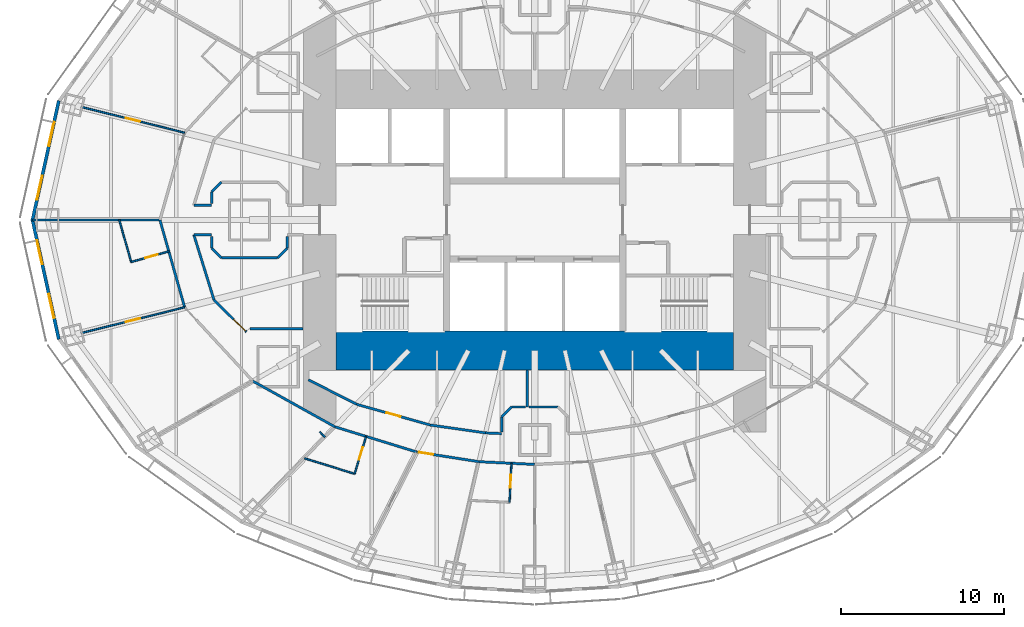
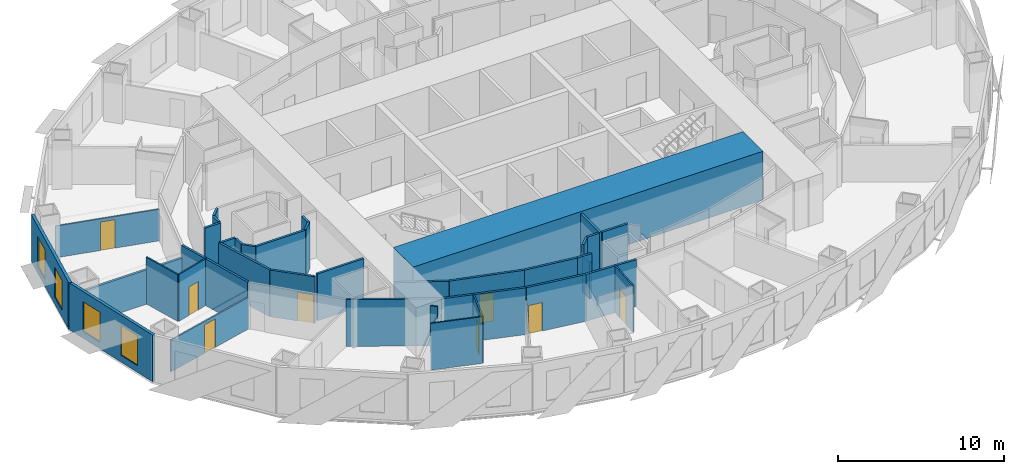
# One storey, part 5 of 15: 38 walls, 8 doors, 4 windows, 12 openings.
"""IFC4 building model written with IfcOpenShell, lengths in metres."""

from ifc_helpers import new_model, si_unit, direction, frame, frame_2d, origin, place, context, subcontext, project, spatial, rectangle, extrude, material, layer, layer_set, type_object, element, fill, save


model = new_model("IFC4")

# Units and contexts
model_context = context("Model", 3, precision=1e-05, world=origin(), true_north=direction((0.0, 1.0)))
body_context = subcontext(model_context, "Body", "Model", "MODEL_VIEW")
ifc_project = project(units=[si_unit("LENGTHUNIT", "METRE"), si_unit("AREAUNIT", "SQUARE_METRE"), si_unit("VOLUMEUNIT", "CUBIC_METRE"), si_unit("PLANEANGLEUNIT", "RADIAN"), si_unit("MASSUNIT", "GRAM", prefix="KILO")], contexts=[model_context])

# Site, building, storey
site_placement = place(None, origin())
site = spatial("IfcSite", under=ifc_project, at=site_placement, CompositionType="ELEMENT")
building_placement = place(site_placement, origin())
building = spatial("IfcBuilding", under=site, at=building_placement, Name="Lantaw Convention Tower", CompositionType="ELEMENT")
storey_placement = place(building_placement, frame((0.0, 0.0, 94.60009765625)))
storey = spatial("IfcBuildingStorey", under=building, at=storey_placement, Name="L22", CompositionType="ELEMENT", Elevation=94.60009765625)

# Walls
ifc_material_1 = material(Name="Gypsum board on steel studs", Category="steel")
ifc_layer_1 = layer(ifc_material_1, 0.14990234375)
ifc_layer_set_1 = layer_set([ifc_layer_1], Name="Back of house wall 150")
wall_type_1 = type_object("IfcWallType", Name="Back of house wall 150", PredefinedType="PARTITIONING", material=ifc_layer_set_1)
wall_1_placement = place(storey_placement, frame((-0.449951171875, -9.199951171875, 0.0), z_axis=(0.0, 0.0, 1.0), x_axis=(0.0, -1.0, 0.0)))
element("IfcWall", 1, at=wall_1_placement, inside=storey, type_object=wall_type_1, Name="Back of house wall 150", PredefinedType="PARTITIONING", context=body_context, shape_type="SweptSolid", body=[
    extrude(rectangle(XDim=2.26513671875, YDim=0.14990234375, at=frame_2d((1.132568359375, 0.0))), origin(), (0.0, 0.0, 1.0), 3.449951171875),
])
wall_2_placement = place(storey_placement, frame((-2.02490234375, -12.075439453125, 0.0), z_axis=(0.0, 0.0, 1.0), x_axis=(0.707106781187, 0.707106781187, 0.0)))
element("IfcWall", 2, at=wall_2_placement, inside=storey, type_object=wall_type_1, Name="Back of house wall 150", PredefinedType="PARTITIONING", context=body_context, shape_type="SweptSolid", body=[
    extrude(rectangle(XDim=0.84912109375, YDim=0.14990234375, at=frame_2d((0.424560546875, 0.0))), origin(), (0.0, 0.0, 1.0), 3.449951171875),
])
wall_3_placement = place(storey_placement, frame((-1.424560546875, -11.47509765625, 0.0), z_axis=(0.0, 0.0, 1.0), x_axis=(1.0, 0.0, 0.0)))
element("IfcWall", 3, at=wall_3_placement, inside=storey, type_object=wall_type_1, Name="Back of house wall 150", PredefinedType="PARTITIONING", context=body_context, shape_type="SweptSolid", body=[
    extrude(rectangle(XDim=0.871337890625, YDim=0.14990234375, at=frame_2d((0.435546875, 0.0))), origin(), (0.0, 0.0, 1.0), 3.449951171875),
])
wall_4_placement = place(storey_placement, frame((-0.3466796875, -11.47509765625, 0.0), z_axis=(0.0, 0.0, 1.0), x_axis=(1.0, 0.0, 0.0)))
element("IfcWall", 4, at=wall_4_placement, inside=storey, type_object=wall_type_1, Name="Back of house wall 150", PredefinedType="PARTITIONING", context=body_context, shape_type="SweptSolid", body=[
    extrude(rectangle(XDim=1.771240234375, YDim=0.14990234375, at=frame_2d((0.8857421875, 0.0))), origin(), (0.0, 0.0, 1.0), 3.449951171875),
])

# Wall, opening, door
ifc_material_2 = material(Name="Moisture resistant gypsum board on steel studs", Category="steel")
ifc_layer_2 = layer(ifc_material_2, 0.10009765625)
ifc_layer_set_2 = layer_set([ifc_layer_2], Name="Bathroom wall 100")
wall_type_2 = type_object("IfcWallType", Name="Bathroom wall 100", PredefinedType="PARTITIONING", material=ifc_layer_set_2)
wall_5_placement = place(storey_placement, frame((-22.455078125, -1.92431640625, 0.0), z_axis=(0.0, 0.0, 1.0), x_axis=(-0.962181399457, -0.272409534596, 0.0)))
wall_5 = element("IfcWall", 5, at=wall_5_placement, inside=storey, type_object=wall_type_2, Name="Bathroom wall 100", PredefinedType="PARTITIONING", context=body_context, shape_type="SweptSolid", body=[
    extrude(rectangle(XDim=2.400146484375, YDim=0.10009765625, at=frame_2d((1.2001953125, 0.0))), origin(), (0.0, 0.0, 1.0), 3.449951171875),
])
opening_1_placement = place(wall_5_placement, frame((0.699951171875, 0.0, 0.0)))
opening_1 = element("IfcOpeningElement", 6, at=opening_1_placement, cuts=wall_5, Name="Opening L22.42", PredefinedType="OPENING", context=body_context, shape_type="SweptSolid", body=[
    extrude(rectangle(XDim=0.800048828125, YDim=2.10009765625, at=frame_2d((0.39990234375, 1.050048828125))), frame((0.0, 0.06005859375, 0.0), z_axis=(0.0, -1.0, 0.0), x_axis=(1.0, 0.0, 0.0)), (0.0, 0.0, 1.0), 0.1201171875),
])
ifc_material_3 = material(Name="Timber", Category="wood")
door_type_1 = type_object("IfcDoorType", Name="Bathroom door 800", OperationType="SINGLE_SWING_LEFT", PredefinedType="DOOR", material=ifc_material_3)
door_1_placement = place(opening_1_placement, origin())
door_1 = element("IfcDoor", 7, at=door_1_placement, inside=storey, type_object=door_type_1, Name="Bathroom door", OperationType="SINGLE_SWING_LEFT", OverallHeight=2.10009765625, OverallWidth=0.800048828125, PredefinedType="DOOR", context=body_context, shape_type="SweptSolid", body=[
    extrude(rectangle(XDim=0.800048828125, YDim=2.10009765625, at=frame_2d((0.39990234375, 1.050048828125))), frame((0.0, 0.02490234375, 0.0), z_axis=(0.0, -1.0, 0.0), x_axis=(1.0, 0.0, 0.0)), (0.0, 0.0, 1.0), 0.050048828125),
])
fill(opening_1, door_1)

# Wall
wall_6_placement = place(storey_placement, frame((-24.764404296875, -2.578125, 0.0), z_axis=(0.0, 0.0, 1.0), x_axis=(-0.272433880153, 0.962174506493, 0.0)))
element("IfcWall", 8, at=wall_6_placement, inside=storey, type_object=wall_type_2, Name="Bathroom wall 100", PredefinedType="PARTITIONING", context=body_context, shape_type="SweptSolid", body=[
    extrude(rectangle(XDim=2.679443359375, YDim=0.10009765625, at=frame_2d((1.33984375, 0.0))), origin(), (0.0, 0.0, 1.0), 3.449951171875),
])

# Wall, opening, door
wall_7_placement = place(storey_placement, frame((-10.345703125, -13.281494140625, 0.0), z_axis=(0.0, 0.0, 1.0), x_axis=(-0.294478957423, -0.955657963727, 0.0)))
wall_7 = element("IfcWall", 9, at=wall_7_placement, inside=storey, type_object=wall_type_2, Name="Bathroom wall 100", PredefinedType="PARTITIONING", context=body_context, shape_type="SweptSolid", body=[
    extrude(rectangle(XDim=2.400146484375, YDim=0.10009765625, at=frame_2d((1.2001953125, 0.0))), origin(), (0.0, 0.0, 1.0), 3.449951171875),
])
opening_2_placement = place(wall_7_placement, frame((0.699951171875, 0.0, 0.0)))
opening_2 = element("IfcOpeningElement", 10, at=opening_2_placement, cuts=wall_7, Name="Opening L22.46", PredefinedType="OPENING", context=body_context, shape_type="SweptSolid", body=[
    extrude(rectangle(XDim=0.800048828125, YDim=2.10009765625, at=frame_2d((0.39990234375, 1.050048828125))), frame((0.0, 0.06005859375, 0.0), z_axis=(0.0, -1.0, 0.0), x_axis=(1.0, 0.0, 0.0)), (0.0, 0.0, 1.0), 0.1201171875),
])
door_2_placement = place(opening_2_placement, origin())
door_2 = element("IfcDoor", 11, at=door_2_placement, inside=storey, type_object=door_type_1, Name="Bathroom door", OperationType="SINGLE_SWING_LEFT", OverallHeight=2.10009765625, OverallWidth=0.800048828125, PredefinedType="DOOR", context=body_context, shape_type="SweptSolid", body=[
    extrude(rectangle(XDim=0.800048828125, YDim=2.10009765625, at=frame_2d((0.39990234375, 1.050048828125))), frame((0.0, 0.02490234375, 0.0), z_axis=(0.0, -1.0, 0.0), x_axis=(1.0, 0.0, 0.0)), (0.0, 0.0, 1.0), 0.050048828125),
])
fill(opening_2, door_2)

# Wall
wall_8_placement = place(storey_placement, frame((-11.052490234375, -15.5751953125, 0.0), z_axis=(0.0, 0.0, 1.0), x_axis=(-0.955641033268, 0.294533895391, 0.0)))
element("IfcWall", 12, at=wall_8_placement, inside=storey, type_object=wall_type_2, Name="Bathroom wall 100", PredefinedType="PARTITIONING", context=body_context, shape_type="SweptSolid", body=[
    extrude(rectangle(XDim=3.216064453125, YDim=0.10009765625, at=frame_2d((1.60791015625, 0.0))), origin(), (0.0, 0.0, 1.0), 3.449951171875),
])

# Wall, opening, door
wall_9_placement = place(storey_placement, frame((-1.4267578125, -14.930419921875, 0.0), z_axis=(0.0, 0.0, 1.0), x_axis=(-0.048831470304, -0.998807032168, 0.0)))
wall_9 = element("IfcWall", 13, at=wall_9_placement, inside=storey, type_object=wall_type_2, Name="Bathroom wall 100", PredefinedType="PARTITIONING", context=body_context, shape_type="SweptSolid", body=[
    extrude(rectangle(XDim=2.39990234375, YDim=0.10009765625, at=frame_2d((1.199951171875, 0.0))), origin(), (0.0, 0.0, 1.0), 3.449951171875),
])
opening_3_placement = place(wall_9_placement, frame((0.699951171875, 0.0, 0.0)))
opening_3 = element("IfcOpeningElement", 14, at=opening_3_placement, cuts=wall_9, Name="Opening L22.49", PredefinedType="OPENING", context=body_context, shape_type="SweptSolid", body=[
    extrude(rectangle(XDim=0.800048828125, YDim=2.10009765625, at=frame_2d((0.39990234375, 1.050048828125))), frame((0.0, 0.06005859375, 0.0), z_axis=(0.0, -1.0, 0.0), x_axis=(1.0, 0.0, 0.0)), (0.0, 0.0, 1.0), 0.1201171875),
])
door_3_placement = place(opening_3_placement, origin())
door_3 = element("IfcDoor", 15, at=door_3_placement, inside=storey, type_object=door_type_1, Name="Bathroom door", OperationType="SINGLE_SWING_LEFT", OverallHeight=2.10009765625, OverallWidth=0.800048828125, PredefinedType="DOOR", context=body_context, shape_type="SweptSolid", body=[
    extrude(rectangle(XDim=0.800048828125, YDim=2.10009765625, at=frame_2d((0.39990234375, 1.050048828125))), frame((0.0, 0.02490234375, 0.0), z_axis=(0.0, -1.0, 0.0), x_axis=(1.0, 0.0, 0.0)), (0.0, 0.0, 1.0), 0.050048828125),
])
fill(opening_3, door_3)

# Walls
ifc_material_4 = material(Name="Concrete C60/75", Category="concrete")
ifc_layer_3 = layer(ifc_material_4, 2.39990234375)
ifc_layer_set_3 = layer_set([ifc_layer_3], Name="Core wall 2400")
wall_type_3 = type_object("IfcWallType", Name="Core wall 2400", PredefinedType="SHEAR", material=ifc_layer_set_3)
wall_10_placement = place(storey_placement, frame((-12.199951171875, -8.0, 0.0), z_axis=(0.0, 0.0, 1.0), x_axis=(1.0, 0.0, 0.0)))
element("IfcWall", 16, at=wall_10_placement, inside=storey, type_object=wall_type_3, Name="Core wall S", PredefinedType="SHEAR", context=body_context, shape_type="SweptSolid", body=[
    extrude(rectangle(XDim=24.39990234375, YDim=2.39990234375, at=frame_2d((12.199951171875, 0.0))), origin(), (0.0, 0.0, 1.0), 3.599853515625),
])
ifc_material_5 = material(Name="Gypsum board on steel studs, fire rated", Category="steel")
ifc_layer_4 = layer(ifc_material_5, 0.14990234375)
ifc_layer_set_4 = layer_set([ifc_layer_4], Name="Corridor wall 150 EI 60")
wall_type_4 = type_object("IfcWallType", Name="Corridor wall 150 EI 60", PredefinedType="PARTITIONING", material=ifc_layer_set_4)
wall_11_placement = place(storey_placement, frame((-23.0, 0.0, 0.0), z_axis=(0.0, 0.0, 1.0), x_axis=(0.272386051236, -0.962188047677, 0.0)))
element("IfcWall", 17, at=wall_11_placement, inside=storey, type_object=wall_type_4, Name="Corridor wall 150", PredefinedType="PARTITIONING", context=body_context, shape_type="SweptSolid", body=[
    extrude(rectangle(XDim=5.56689453125, YDim=0.14990234375, at=frame_2d((2.783447265625, 0.0))), origin(), (0.0, 0.0, 1.0), 3.449951171875),
])
wall_12_placement = place(storey_placement, frame((-17.299072265625, -9.88525390625, 0.0), z_axis=(0.0, 0.0, 1.0), x_axis=(0.873695910579, -0.486472461541, 0.0)))
element("IfcWall", 18, at=wall_12_placement, inside=storey, type_object=wall_type_4, Name="Corridor wall 150", PredefinedType="PARTITIONING", context=body_context, shape_type="SweptSolid", body=[
    extrude(rectangle(XDim=5.77099609375, YDim=0.14990234375, at=frame_2d((2.885498046875, 0.0))), origin(), (0.0, 0.0, 1.0), 3.449951171875),
])
wall_13_placement = place(storey_placement, frame((-12.257080078125, -12.692626953125, 0.0), z_axis=(0.0, 0.0, 1.0), x_axis=(0.955657956744, -0.294478980085, 0.0)))
element("IfcWall", 19, at=wall_13_placement, inside=storey, type_object=wall_type_4, Name="Corridor wall 150", PredefinedType="PARTITIONING", context=body_context, shape_type="SweptSolid", body=[
    extrude(rectangle(XDim=5.236328125, YDim=0.14990234375, at=frame_2d((2.6181640625, 0.0))), origin(), (0.0, 0.0, 1.0), 3.449951171875),
])

# Wall, opening, door
wall_14_placement = place(storey_placement, frame((-7.2529296875, -14.234619140625, 0.0), z_axis=(0.0, 0.0, 1.0), x_axis=(0.988015036573, -0.154357660987, 0.0)))
wall_14 = element("IfcWall", 20, at=wall_14_placement, inside=storey, type_object=wall_type_4, Name="Corridor wall 150", PredefinedType="PARTITIONING", context=body_context, shape_type="SweptSolid", body=[
    extrude(rectangle(XDim=3.875, YDim=0.14990234375, at=frame_2d((1.9375, 0.0))), origin(), (0.0, 0.0, 1.0), 3.449951171875),
])
opening_4_placement = place(wall_14_placement, frame((0.14990234375, 0.0, 0.0)))
opening_4 = element("IfcOpeningElement", 21, at=opening_4_placement, cuts=wall_14, Name="Opening L22.48", PredefinedType="OPENING", context=body_context, shape_type="SweptSolid", body=[
    extrude(rectangle(XDim=0.89990234375, YDim=2.10009765625, at=frame_2d((0.449951171875, 1.050048828125))), frame((0.0, 0.0849609375, 0.0), z_axis=(0.0, -1.0, 0.0), x_axis=(1.0, 0.0, 0.0)), (0.0, 0.0, 1.0), 0.169921875),
])
ifc_material_6 = material(Name="Steel, fire rated", Category="steel")
door_type_2 = type_object("IfcDoorType", Name="Guest room entrance door FD30S", OperationType="SINGLE_SWING_LEFT", PredefinedType="DOOR", material=ifc_material_6)
door_4_placement = place(opening_4_placement, origin())
door_4 = element("IfcDoor", 22, at=door_4_placement, inside=storey, type_object=door_type_2, Name="Suite entrance door", OperationType="SINGLE_SWING_LEFT", OverallHeight=2.10009765625, OverallWidth=0.89990234375, PredefinedType="DOOR", context=body_context, shape_type="SweptSolid", body=[
    extrude(rectangle(XDim=0.89990234375, YDim=2.10009765625, at=frame_2d((0.449951171875, 1.050048828125))), frame((0.0, 0.02490234375, 0.0), z_axis=(0.0, -1.0, 0.0), x_axis=(1.0, 0.0, 0.0)), (0.0, 0.0, 1.0), 0.050048828125),
])
fill(opening_4, door_4)

# Walls
wall_15_placement = place(storey_placement, frame((-3.42431640625, -14.832763671875, 0.0), z_axis=(0.0, 0.0, 1.0), x_axis=(0.998809560203, -0.048779733975, 0.0)))
element("IfcWall", 23, at=wall_15_placement, inside=storey, type_object=wall_type_4, Name="Corridor wall 150", PredefinedType="PARTITIONING", context=body_context, shape_type="SweptSolid", body=[
    extrude(rectangle(XDim=3.428466796875, YDim=0.14990234375, at=frame_2d((1.71435546875, 0.0))), origin(), (0.0, 0.0, 1.0), 3.449951171875),
])
wall_16_placement = place(storey_placement, frame((-20.92138671875, -0.89990234375, 0.0), z_axis=(0.0, 0.0, 1.0), x_axis=(0.295778570807, -0.955256529447, 0.0)))
element("IfcWall", 24, at=wall_16_placement, inside=storey, type_object=wall_type_4, Name="Corridor wall 150", PredefinedType="PARTITIONING", context=body_context, shape_type="SweptSolid", body=[
    extrude(rectangle(XDim=4.19482421875, YDim=0.14990234375, at=frame_2d((2.097412109375, 0.0))), origin(), (0.0, 0.0, 1.0), 3.449951171875),
])

# Wall, opening, door
wall_17_placement = place(storey_placement, frame((-10.92431640625, -11.3125, 0.0), z_axis=(0.0, 0.0, 1.0), x_axis=(0.962643729928, -0.270771211967, 0.0)))
wall_17 = element("IfcWall", 25, at=wall_17_placement, inside=storey, type_object=wall_type_4, Name="Corridor wall 150", PredefinedType="PARTITIONING", context=body_context, shape_type="SweptSolid", body=[
    extrude(rectangle(XDim=4.6884765625, YDim=0.14990234375, at=frame_2d((2.34423828125, 0.0))), origin(), (0.0, 0.0, 1.0), 3.449951171875),
])
opening_5_placement = place(wall_17_placement, frame((1.894287109375, 0.0, 0.0)))
opening_5 = element("IfcOpeningElement", 26, at=opening_5_placement, cuts=wall_17, Name="Opening L22.21", PredefinedType="OPENING", context=body_context, shape_type="SweptSolid", body=[
    extrude(rectangle(XDim=0.89990234375, YDim=2.10009765625, at=frame_2d((0.449951171875, 1.050048828125))), frame((0.0, 0.0849609375, 0.0), z_axis=(0.0, -1.0, 0.0), x_axis=(1.0, 0.0, 0.0)), (0.0, 0.0, 1.0), 0.169921875),
])
door_type_3 = type_object("IfcDoorType", Name="Service door 900 FD30", OperationType="SINGLE_SWING_LEFT", PredefinedType="DOOR", material=ifc_material_6)
door_5_placement = place(opening_5_placement, origin())
door_5 = element("IfcDoor", 27, at=door_5_placement, inside=storey, type_object=door_type_3, Name="Staff locker room door", OperationType="SINGLE_SWING_LEFT", OverallHeight=2.10009765625, OverallWidth=0.89990234375, PredefinedType="DOOR", context=body_context, shape_type="SweptSolid", body=[
    extrude(rectangle(XDim=0.89990234375, YDim=2.10009765625, at=frame_2d((0.449951171875, 1.050048828125))), frame((0.0, 0.02490234375, 0.0), z_axis=(0.0, -1.0, 0.0), x_axis=(1.0, 0.0, 0.0)), (0.0, 0.0, 1.0), 0.050048828125),
])
fill(opening_5, door_5)

# Walls
wall_18_placement = place(storey_placement, frame((-6.410888671875, -12.58203125, 0.0), z_axis=(0.0, 0.0, 1.0), x_axis=(0.990002114939, -0.14105251652, 0.0)))
element("IfcWall", 28, at=wall_18_placement, inside=storey, type_object=wall_type_4, Name="Corridor wall 150", PredefinedType="PARTITIONING", context=body_context, shape_type="SweptSolid", body=[
    extrude(rectangle(XDim=3.4287109375, YDim=0.14990234375, at=frame_2d((1.71435546875, 0.0))), origin(), (0.0, 0.0, 1.0), 3.449951171875),
])
for number, where, z_axis, x_axis, name in (
    (29, (-19.8349609375, -0.89990234375, 0.0), (0.0, 0.0, 1.0), (-1.0, 0.0, 0.0), "Corridor wall 150"),
    (30, (-19.8349609375, 0.89990234375, 0.0), (0.0, 0.0, 1.0), (-1.0, 0.0, 0.0), "Corridor wall 150"),
):
    element("IfcWall", number, at=place(storey_placement, frame(where, z_axis=z_axis, x_axis=x_axis)), inside=storey, type_object=wall_type_4, Name=name, PredefinedType="PARTITIONING", context=body_context, shape_type="SweptSolid", body=[
        extrude(rectangle(XDim=1.08642578125, YDim=0.14990234375, at=frame_2d((0.543212890625, 0.0))), origin(), (0.0, 0.0, 1.0), 3.449951171875),
    ])
wall_19_placement = place(storey_placement, frame((-19.824951171875, 1.003173828125, 0.0), z_axis=(0.0, 0.0, 1.0), x_axis=(0.0, 1.0, 0.0)))
element("IfcWall", 31, at=wall_19_placement, inside=storey, type_object=wall_type_4, Name="Corridor wall 150", PredefinedType="PARTITIONING", context=body_context, shape_type="SweptSolid", body=[
    extrude(rectangle(XDim=0.721435546875, YDim=0.14990234375, at=frame_2d((0.36083984375, 0.0))), origin(), (0.0, 0.0, 1.0), 3.449951171875),
])
wall_20_placement = place(storey_placement, frame((-19.824951171875, 1.724609375, 0.0), z_axis=(0.0, 0.0, 1.0), x_axis=(0.707106781187, 0.707106781187, 0.0)))
element("IfcWall", 32, at=wall_20_placement, inside=storey, type_object=wall_type_4, Name="Corridor wall 150", PredefinedType="PARTITIONING", context=body_context, shape_type="SweptSolid", body=[
    extrude(rectangle(XDim=0.84912109375, YDim=0.14990234375, at=frame_2d((0.424560546875, 0.0))), origin(), (0.0, 0.0, 1.0), 3.449951171875),
])
for number, where, z_axis, x_axis, name in (
    (33, (-19.824951171875, -1.724609375, 0.0), (0.0, 0.0, 1.0), (0.0, 1.0, 0.0), "Corridor wall 150"),
    (34, (-15.175048828125, -1.003173828125, 0.0), (0.0, 0.0, 1.0), (0.0, -1.0, 0.0), "Corridor wall 150"),
):
    element("IfcWall", number, at=place(storey_placement, frame(where, z_axis=z_axis, x_axis=x_axis)), inside=storey, type_object=wall_type_4, Name=name, PredefinedType="PARTITIONING", context=body_context, shape_type="SweptSolid", body=[
        extrude(rectangle(XDim=0.721435546875, YDim=0.14990234375, at=frame_2d((0.36083984375, 0.0))), origin(), (0.0, 0.0, 1.0), 3.449951171875),
    ])
wall_21_placement = place(storey_placement, frame((-15.175048828125, -1.724609375, 0.0), z_axis=(0.0, 0.0, 1.0), x_axis=(-0.707106781187, -0.707106781187, 0.0)))
element("IfcWall", 35, at=wall_21_placement, inside=storey, type_object=wall_type_4, Name="Corridor wall 150", PredefinedType="PARTITIONING", context=body_context, shape_type="SweptSolid", body=[
    extrude(rectangle(XDim=0.84912109375, YDim=0.14990234375, at=frame_2d((0.424560546875, 0.0))), origin(), (0.0, 0.0, 1.0), 3.449951171875),
])
wall_22_placement = place(storey_placement, frame((-15.775390625, -2.324951171875, 0.0), z_axis=(0.0, 0.0, 1.0), x_axis=(-1.0, 0.0, 0.0)))
element("IfcWall", 36, at=wall_22_placement, inside=storey, type_object=wall_type_4, Name="Corridor wall 150", PredefinedType="PARTITIONING", context=body_context, shape_type="SweptSolid", body=[
    extrude(rectangle(XDim=3.44921875, YDim=0.14990234375, at=frame_2d((1.724609375, 0.0))), origin(), (0.0, 0.0, 1.0), 3.449951171875),
])
wall_23_placement = place(storey_placement, frame((-19.224609375, -2.324951171875, 0.0), z_axis=(0.0, 0.0, 1.0), x_axis=(-0.707106781187, 0.707106781187, 0.0)))
element("IfcWall", 37, at=wall_23_placement, inside=storey, type_object=wall_type_4, Name="Corridor wall 150", PredefinedType="PARTITIONING", context=body_context, shape_type="SweptSolid", body=[
    extrude(rectangle(XDim=0.84912109375, YDim=0.14990234375, at=frame_2d((0.424560546875, 0.0))), origin(), (0.0, 0.0, 1.0), 3.449951171875),
])

# Wall, opening, door
wall_24_placement = place(storey_placement, frame((-19.6806640625, -4.906982421875, 0.0), z_axis=(0.0, 0.0, 1.0), x_axis=(0.710845937688, -0.70334774676, 0.0)))
wall_24 = element("IfcWall", 38, at=wall_24_placement, inside=storey, type_object=wall_type_4, Name="Corridor wall 150", PredefinedType="PARTITIONING", context=body_context, shape_type="SweptSolid", body=[
    extrude(rectangle(XDim=2.800048828125, YDim=0.14990234375, at=frame_2d((1.39990234375, 0.0))), origin(), (0.0, 0.0, 1.0), 3.449951171875),
])
opening_6_placement = place(wall_24_placement, frame((1.699951171875, 0.0, 0.0)))
opening_6 = element("IfcOpeningElement", 39, at=opening_6_placement, cuts=wall_24, Name="Opening L22.22", PredefinedType="OPENING", context=body_context, shape_type="SweptSolid", body=[
    extrude(rectangle(XDim=1.0, YDim=2.10009765625, at=frame_2d((0.5, 1.050048828125))), frame((0.0, 0.0849609375, 0.0), z_axis=(0.0, -1.0, 0.0), x_axis=(1.0, 0.0, 0.0)), (0.0, 0.0, 1.0), 0.169921875),
])
door_type_4 = type_object("IfcDoorType", Name="Service door 1000 FD30", OperationType="SINGLE_SWING_LEFT", PredefinedType="DOOR", material=ifc_material_6)
door_6_placement = place(opening_6_placement, origin())
door_6 = element("IfcDoor", 40, at=door_6_placement, inside=storey, type_object=door_type_4, Name="Staff room door", OperationType="SINGLE_SWING_LEFT", OverallHeight=2.10009765625, OverallWidth=1.0, PredefinedType="DOOR", context=body_context, shape_type="SweptSolid", body=[
    extrude(rectangle(XDim=1.0, YDim=2.10009765625, at=frame_2d((0.5, 1.050048828125))), frame((0.0, 0.02490234375, 0.0), z_axis=(0.0, -1.0, 0.0), x_axis=(1.0, 0.0, 0.0)), (0.0, 0.0, 1.0), 0.050048828125),
])
fill(opening_6, door_6)

# Walls
wall_25_placement = place(storey_placement, frame((-13.889892578125, -9.8046875, 0.0), z_axis=(0.0, 0.0, 1.0), x_axis=(0.891398195277, -0.453220980821, 0.0)))
element("IfcWall", 41, at=wall_25_placement, inside=storey, type_object=wall_type_4, Name="Corridor wall 150", PredefinedType="PARTITIONING", context=body_context, shape_type="SweptSolid", body=[
    extrude(rectangle(XDim=3.326904296875, YDim=0.14990234375, at=frame_2d((1.66357421875, 0.0))), origin(), (0.0, 0.0, 1.0), 3.449951171875),
])
wall_26_placement = place(storey_placement, frame((-17.474609375, -6.675048828125, 0.0), z_axis=(0.0, 0.0, 1.0), x_axis=(1.0, 0.0, 0.0)))
element("IfcWall", 42, at=wall_26_placement, inside=storey, type_object=wall_type_4, Name="Corridor wall 150", PredefinedType="PARTITIONING", context=body_context, shape_type="SweptSolid", body=[
    extrude(rectangle(XDim=3.24462890625, YDim=0.14990234375, at=frame_2d((1.622314453125, 0.0))), origin(), (0.0, 0.0, 1.0), 3.449951171875),
])
wall_27_placement = place(storey_placement, frame((-3.016357421875, -13.065673828125, 0.0), z_axis=(0.0, 0.0, 1.0), x_axis=(0.999010128674, -0.044483286824, 0.0)))
element("IfcWall", 43, at=wall_27_placement, inside=storey, type_object=wall_type_4, Name="Corridor wall 150", PredefinedType="PARTITIONING", context=body_context, shape_type="SweptSolid", body=[
    extrude(rectangle(XDim=0.982421875, YDim=0.14990234375, at=frame_2d((0.4912109375, 0.0))), origin(), (0.0, 0.0, 1.0), 3.449951171875),
])
wall_28_placement = place(storey_placement, frame((-2.02490234375, -13.005126953125, 0.0), z_axis=(0.0, 0.0, 1.0), x_axis=(0.0, 1.0, 0.0)))
element("IfcWall", 44, at=wall_28_placement, inside=storey, type_object=wall_type_4, Name="Corridor wall 150", PredefinedType="PARTITIONING", context=body_context, shape_type="SweptSolid", body=[
    extrude(rectangle(XDim=0.9296875, YDim=0.14990234375, at=frame_2d((0.46484375, 0.0))), origin(), (0.0, 0.0, 1.0), 2.748779296875),
])

# Wall, openings, windows
ifc_material_7 = material(Name="Insulated aluminium panel on steel frame", Category="steel")
ifc_layer_5 = layer(ifc_material_7, 0.199951171875)
ifc_layer_set_5 = layer_set([ifc_layer_5], Name="External wall 200")
wall_type_5 = type_object("IfcWallType", Name="External wall 200", PredefinedType="SOLIDWALL", material=ifc_layer_set_5)
wall_29_placement = place(storey_placement, frame((-29.207763671875, 7.318115234375, 0.0), z_axis=(0.0, 0.0, 1.0), x_axis=(-0.215238065514, -0.976561608478, 0.0)))
wall_29 = element("IfcWall", 45, at=wall_29_placement, inside=storey, type_object=wall_type_5, Name="Facade panel wall", PredefinedType="SOLIDWALL", context=body_context, shape_type="SweptSolid", body=[
    extrude(rectangle(XDim=7.562255859375, YDim=0.199951171875, at=frame_2d((3.78125, 0.0))), origin(), (0.0, 0.0, 1.0), 3.449951171875),
])
opening_7_placement = place(wall_29_placement, frame((1.340576171875, 0.0, 0.5)))
opening_7 = element("IfcOpeningElement", 46, at=opening_7_placement, cuts=wall_29, Name="Opening W2", PredefinedType="OPENING", context=body_context, shape_type="SweptSolid", body=[
    extrude(rectangle(XDim=1.5, YDim=2.199951171875, at=frame_2d((0.75, 1.10009765625))), frame((0.0, 0.10986328125, 0.0), z_axis=(0.0, -1.0, 0.0), x_axis=(1.0, 0.0, 0.0)), (0.0, 0.0, 1.0), 0.219970703125),
])
opening_8_placement = place(wall_29_placement, frame((4.7216796875, 0.0, 0.5)))
opening_8 = element("IfcOpeningElement", 47, at=opening_8_placement, cuts=wall_29, Name="Opening W2", PredefinedType="OPENING", context=body_context, shape_type="SweptSolid", body=[
    extrude(rectangle(XDim=1.5, YDim=2.199951171875, at=frame_2d((0.75, 1.10009765625))), frame((0.0, 0.10986328125, 0.0), z_axis=(0.0, -1.0, 0.0), x_axis=(1.0, 0.0, 0.0)), (0.0, 0.0, 1.0), 0.219970703125),
])
ifc_material_8 = material(Name="Aluminium frame, clear insulating glass", Category="aluminium")
window_type = type_object("IfcWindowType", Name="Suite window 1500x2200", PartitioningType="SINGLE_PANEL", PredefinedType="WINDOW", material=ifc_material_8)
window_1_placement = place(opening_7_placement, origin())
window_1 = element("IfcWindow", 48, at=window_1_placement, inside=storey, type_object=window_type, Name="Guest room window", OverallHeight=2.199951171875, OverallWidth=1.5, PartitioningType="SINGLE_PANEL", PredefinedType="WINDOW", context=body_context, shape_type="SweptSolid", body=[
    extrude(rectangle(XDim=1.5, YDim=2.199951171875, at=frame_2d((0.75, 1.10009765625))), frame((0.0, 0.030029296875, 0.0), z_axis=(0.0, -1.0, 0.0), x_axis=(1.0, 0.0, 0.0)), (0.0, 0.0, 1.0), 0.06005859375),
])
fill(opening_7, window_1)
window_2_placement = place(opening_8_placement, origin())
window_2 = element("IfcWindow", 49, at=window_2_placement, inside=storey, type_object=window_type, Name="Guest room window", OverallHeight=2.199951171875, OverallWidth=1.5, PartitioningType="SINGLE_PANEL", PredefinedType="WINDOW", context=body_context, shape_type="SweptSolid", body=[
    extrude(rectangle(XDim=1.5, YDim=2.199951171875, at=frame_2d((0.75, 1.10009765625))), frame((0.0, 0.030029296875, 0.0), z_axis=(0.0, -1.0, 0.0), x_axis=(1.0, 0.0, 0.0)), (0.0, 0.0, 1.0), 0.06005859375),
])
fill(opening_8, window_2)

wall_30_placement = place(storey_placement, frame((-30.83544921875, 0.06689453125, 0.0), z_axis=(0.0, 0.0, 1.0), x_axis=(0.215238065514, -0.976561608478, 0.0)))
wall_30 = element("IfcWall", 50, at=wall_30_placement, inside=storey, type_object=wall_type_5, Name="Facade panel wall", PredefinedType="SOLIDWALL", context=body_context, shape_type="SweptSolid", body=[
    extrude(rectangle(XDim=7.562255859375, YDim=0.199951171875, at=frame_2d((3.78125, 0.0))), origin(), (0.0, 0.0, 1.0), 3.449951171875),
])
opening_9_placement = place(wall_30_placement, frame((1.340576171875, 0.0, 0.5)))
opening_9 = element("IfcOpeningElement", 51, at=opening_9_placement, cuts=wall_30, Name="Opening W2", PredefinedType="OPENING", context=body_context, shape_type="SweptSolid", body=[
    extrude(rectangle(XDim=1.5, YDim=2.199951171875, at=frame_2d((0.75, 1.10009765625))), frame((0.0, 0.10986328125, 0.0), z_axis=(0.0, -1.0, 0.0), x_axis=(1.0, 0.0, 0.0)), (0.0, 0.0, 1.0), 0.219970703125),
])
opening_10_placement = place(wall_30_placement, frame((4.7216796875, 0.0, 0.5)))
opening_10 = element("IfcOpeningElement", 52, at=opening_10_placement, cuts=wall_30, Name="Opening W2", PredefinedType="OPENING", context=body_context, shape_type="SweptSolid", body=[
    extrude(rectangle(XDim=1.5, YDim=2.199951171875, at=frame_2d((0.75, 1.10009765625))), frame((0.0, 0.10986328125, 0.0), z_axis=(0.0, -1.0, 0.0), x_axis=(1.0, 0.0, 0.0)), (0.0, 0.0, 1.0), 0.219970703125),
])
window_3_placement = place(opening_9_placement, origin())
window_3 = element("IfcWindow", 53, at=window_3_placement, inside=storey, type_object=window_type, Name="Guest room window", OverallHeight=2.199951171875, OverallWidth=1.5, PartitioningType="SINGLE_PANEL", PredefinedType="WINDOW", context=body_context, shape_type="SweptSolid", body=[
    extrude(rectangle(XDim=1.5, YDim=2.199951171875, at=frame_2d((0.75, 1.10009765625))), frame((0.0, 0.030029296875, 0.0), z_axis=(0.0, -1.0, 0.0), x_axis=(1.0, 0.0, 0.0)), (0.0, 0.0, 1.0), 0.06005859375),
])
fill(opening_9, window_3)
window_4_placement = place(opening_10_placement, origin())
window_4 = element("IfcWindow", 54, at=window_4_placement, inside=storey, type_object=window_type, Name="Guest room window", OverallHeight=2.199951171875, OverallWidth=1.5, PartitioningType="SINGLE_PANEL", PredefinedType="WINDOW", context=body_context, shape_type="SweptSolid", body=[
    extrude(rectangle(XDim=1.5, YDim=2.199951171875, at=frame_2d((0.75, 1.10009765625))), frame((0.0, 0.030029296875, 0.0), z_axis=(0.0, -1.0, 0.0), x_axis=(1.0, 0.0, 0.0)), (0.0, 0.0, 1.0), 0.06005859375),
])
fill(opening_10, window_4)

# Walls
ifc_material_9 = material(Name="Gypsum board on steel studs, acoustic", Category="steel")
ifc_layer_6 = layer(ifc_material_9, 0.14990234375)
ifc_layer_set_6 = layer_set([ifc_layer_6], Name="Guest room party wall 150")
wall_type_6 = type_object("IfcWallType", Name="Guest room party wall 150", PredefinedType="PARTITIONING", material=ifc_layer_set_6)
wall_31_placement = place(storey_placement, frame((-30.82080078125, 0.0, 0.0), z_axis=(0.0, 0.0, 1.0), x_axis=(1.0, 0.0, 0.0)))
element("IfcWall", 55, at=wall_31_placement, inside=storey, type_object=wall_type_6, Name="Guest room party wall 150", PredefinedType="PARTITIONING", context=body_context, shape_type="SweptSolid", body=[
    extrude(rectangle(XDim=7.82080078125, YDim=0.14990234375, at=frame_2d((3.910400390625, 0.0))), origin(), (0.0, 0.0, 1.0), 2.52783203125),
])
ifc_layer_7 = layer(ifc_material_9, 0.10009765625)
ifc_layer_set_7 = layer_set([ifc_layer_7], Name="Office partition 100")
wall_type_7 = type_object("IfcWallType", Name="Office partition 100", PredefinedType="PARTITIONING", material=ifc_layer_set_7)
wall_32_placement = place(storey_placement, frame((-13.199951171875, -13.0, 0.0), z_axis=(0.0, 0.0, 1.0), x_axis=(0.715289751842, -0.698827998087, 0.0)))
element("IfcWall", 56, at=wall_32_placement, inside=storey, type_object=wall_type_7, Name="Office partition 100", PredefinedType="PARTITIONING", context=body_context, shape_type="SweptSolid", body=[
    extrude(rectangle(XDim=0.459716796875, YDim=0.10009765625, at=frame_2d((0.22998046875, 0.0))), origin(), (0.0, 0.0, 1.0), 3.449951171875),
])

# Wall, opening, door
ifc_layer_8 = layer(ifc_material_1, 0.10009765625)
ifc_layer_set_8 = layer_set([ifc_layer_8], Name="Suite partition 100")
wall_type_8 = type_object("IfcWallType", Name="Suite partition 100", PredefinedType="PARTITIONING", material=ifc_layer_set_8)
wall_33_placement = place(storey_placement, frame((-27.832763671875, 6.939453125, 0.0), z_axis=(0.0, 0.0, 1.0), x_axis=(0.970295936837, -0.241921051083, 0.0)))
wall_33 = element("IfcWall", 57, at=wall_33_placement, inside=storey, type_object=wall_type_8, Name="Suite partition 100", PredefinedType="PARTITIONING", context=body_context, shape_type="SweptSolid", body=[
    extrude(rectangle(XDim=6.54345703125, YDim=0.10009765625, at=frame_2d((3.271728515625, 0.0))), origin(), (0.0, 0.0, 1.0), 2.332275390625),
])
opening_11_placement = place(wall_33_placement, frame((2.82177734375, 0.0, 0.0)))
opening_11 = element("IfcOpeningElement", 58, at=opening_11_placement, cuts=wall_33, Name="Opening L22.40", PredefinedType="OPENING", context=body_context, shape_type="SweptSolid", body=[
    extrude(rectangle(XDim=0.89990234375, YDim=2.10009765625, at=frame_2d((0.449951171875, 1.050048828125))), frame((0.0, 0.06005859375, 0.0), z_axis=(0.0, -1.0, 0.0), x_axis=(1.0, 0.0, 0.0)), (0.0, 0.0, 1.0), 0.1201171875),
])
door_type_5 = type_object("IfcDoorType", Name="Suite door 900", OperationType="SINGLE_SWING_LEFT", PredefinedType="DOOR", material=ifc_material_3)
door_7_placement = place(opening_11_placement, origin())
door_7 = element("IfcDoor", 59, at=door_7_placement, inside=storey, type_object=door_type_5, Name="Bedroom door", OperationType="SINGLE_SWING_LEFT", OverallHeight=2.10009765625, OverallWidth=0.89990234375, PredefinedType="DOOR", context=body_context, shape_type="SweptSolid", body=[
    extrude(rectangle(XDim=0.89990234375, YDim=2.10009765625, at=frame_2d((0.449951171875, 1.050048828125))), frame((0.0, 0.02490234375, 0.0), z_axis=(0.0, -1.0, 0.0), x_axis=(1.0, 0.0, 0.0)), (0.0, 0.0, 1.0), 0.050048828125),
])
fill(opening_11, door_7)

wall_34_placement = place(storey_placement, frame((-27.832763671875, -6.939453125, 0.0), z_axis=(0.0, 0.0, 1.0), x_axis=(0.970295936837, 0.241921051083, 0.0)))
wall_34 = element("IfcWall", 60, at=wall_34_placement, inside=storey, type_object=wall_type_8, Name="Suite partition 100", PredefinedType="PARTITIONING", context=body_context, shape_type="SweptSolid", body=[
    extrude(rectangle(XDim=6.54345703125, YDim=0.10009765625, at=frame_2d((3.271728515625, 0.0))), origin(), (0.0, 0.0, 1.0), 2.332275390625),
])
opening_12_placement = place(wall_34_placement, frame((2.82177734375, 0.0, 0.0)))
opening_12 = element("IfcOpeningElement", 61, at=opening_12_placement, cuts=wall_34, Name="Opening L22.43", PredefinedType="OPENING", context=body_context, shape_type="SweptSolid", body=[
    extrude(rectangle(XDim=0.89990234375, YDim=2.10009765625, at=frame_2d((0.449951171875, 1.050048828125))), frame((0.0, 0.06005859375, 0.0), z_axis=(0.0, -1.0, 0.0), x_axis=(1.0, 0.0, 0.0)), (0.0, 0.0, 1.0), 0.1201171875),
])
door_8_placement = place(opening_12_placement, origin())
door_8 = element("IfcDoor", 62, at=door_8_placement, inside=storey, type_object=door_type_5, Name="Bedroom door", OperationType="SINGLE_SWING_LEFT", OverallHeight=2.10009765625, OverallWidth=0.89990234375, PredefinedType="DOOR", context=body_context, shape_type="SweptSolid", body=[
    extrude(rectangle(XDim=0.89990234375, YDim=2.10009765625, at=frame_2d((0.449951171875, 1.050048828125))), frame((0.0, 0.02490234375, 0.0), z_axis=(0.0, -1.0, 0.0), x_axis=(1.0, 0.0, 0.0)), (0.0, 0.0, 1.0), 0.050048828125),
])
fill(opening_12, door_8)

save(model, "model.ifc")
